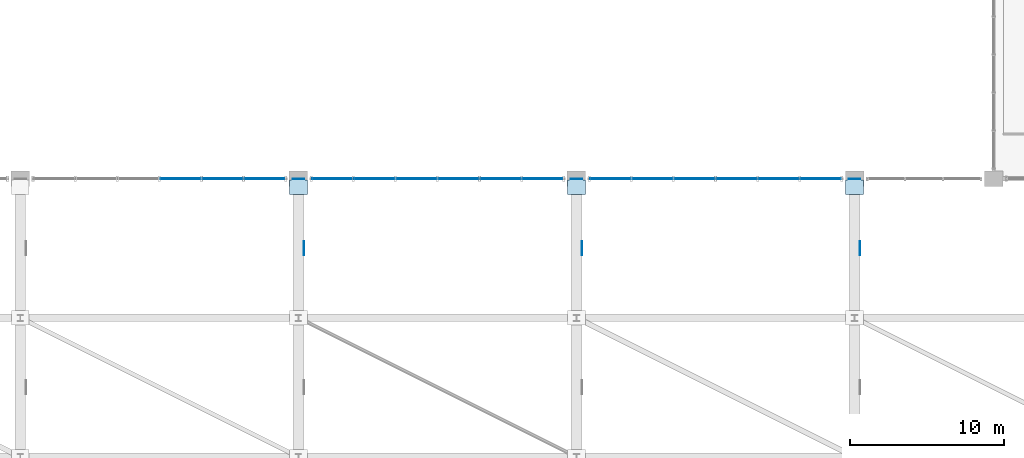
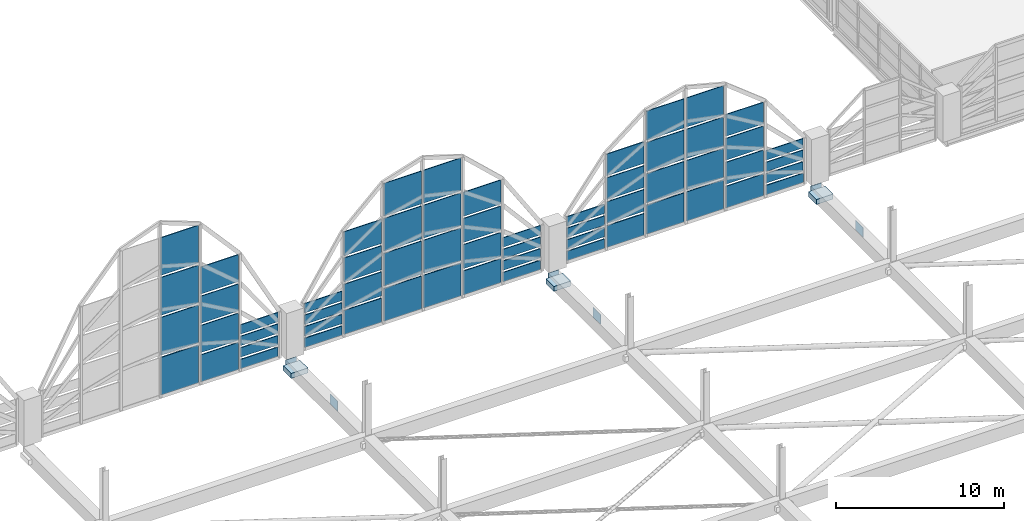
# One storey, part 91 of 116: 69 plates, 3 elements without a shape of their own.
"""IFC4 building model written with IfcOpenShell, lengths in metres."""

from ifc_helpers import new_model, si_unit, direction, frame, origin, origin_2d, place, context, subcontext, project, spatial, rectangle, extrude, material, layer, layer_set, type_object, element, aggregate, save


model = new_model("IFC4")

# Units and contexts
model_context = context("Model", 3, precision=1e-05, world=origin(), true_north=direction((0.0, 1.0)))
body_context = subcontext(model_context, "Body", "Model", "MODEL_VIEW")
ifc_project = project(units=[si_unit("LENGTHUNIT", "METRE"), si_unit("AREAUNIT", "SQUARE_METRE"), si_unit("VOLUMEUNIT", "CUBIC_METRE"), si_unit("PLANEANGLEUNIT", "RADIAN"), si_unit("MASSUNIT", "GRAM", prefix="KILO")], contexts=[model_context])

# Site, building, storey
site_placement = place(None, origin())
site = spatial("IfcSite", under=ifc_project, at=site_placement, CompositionType="ELEMENT")
building_placement = place(site_placement, origin())
building = spatial("IfcBuilding", under=site, at=building_placement, Name="Chuanluo Vaults Station", CompositionType="ELEMENT")
storey_placement = place(building_placement, frame((0.0, 0.0, 10.800048828125)))
storey = spatial("IfcBuildingStorey", under=building, at=storey_placement, Name="L02", CompositionType="ELEMENT", Elevation=10.800048828125)

# Curtain wall, plates
ifc_material_1 = material(Name="Anodised aluminium 6063-T6", Category="aluminium")
curtain_wall_type_1 = type_object("IfcCurtainWallType", Name="CW-SYS-13", PredefinedType="NOTDEFINED", material=ifc_material_1)
curtain_wall_1_placement = place(storey_placement, origin())
curtain_wall_1 = element("IfcCurtainWall", 1, at=curtain_wall_1_placement, inside=storey, type_object=curtain_wall_type_1, Name="Vault V4 north arched curtain wall", PredefinedType="NOTDEFINED")
ifc_material_2 = material(Name="Ceramic-fritted spandrel glass", Category="glass")
ifc_layer_1 = layer(ifc_material_2, 0.06396484375)
ifc_layer_set_1 = layer_set([ifc_layer_1], Name="Ceramic-fritted spandrel glass")
plate_type_1 = type_object("IfcPlateType", Name="CWP-SPN-42", PredefinedType="SHEET", material=ifc_layer_set_1)
plate_1_placement = place(storey_placement, frame((64.362548828125, 103.5, 0.080078125), z_axis=(0.0, 0.0, 1.0), x_axis=(1.0, 0.0, 0.0)))
plate_1 = element("IfcPlate", 2, at=plate_1_placement, type_object=plate_type_1, Name="Vault V4 north arched curtain wall glazed panel 4.1", PredefinedType="SHEET", context=body_context, shape_type="SweptSolid", body=[
    extrude(rectangle(XDim=2.56494140625, YDim=0.06396484375, at=origin_2d()), origin(), (0.0, 0.0, 1.0), 2.73291015625),
])
plate_2_placement = place(storey_placement, frame((67.08740234375, 103.5, 0.080078125), z_axis=(0.0, 0.0, 1.0), x_axis=(1.0, 0.0, 0.0)))
plate_2 = element("IfcPlate", 3, at=plate_2_placement, type_object=plate_type_1, Name="Vault V4 north arched curtain wall glazed panel 5.1", PredefinedType="SHEET", context=body_context, shape_type="SweptSolid", body=[
    extrude(rectangle(XDim=2.56494140625, YDim=0.06396484375, at=origin_2d()), origin(), (0.0, 0.0, 1.0), 1.962158203125),
])
plate_3_placement = place(storey_placement, frame((69.8125, 103.5, 0.080078125), z_axis=(0.0, 0.0, 1.0), x_axis=(1.0, 0.0, 0.0)))
plate_3 = element("IfcPlate", 4, at=plate_3_placement, type_object=plate_type_1, Name="Vault V4 north arched curtain wall glazed panel 6.1", PredefinedType="SHEET", context=body_context, shape_type="SweptSolid", body=[
    extrude(rectangle(XDim=2.56494140625, YDim=0.06396484375, at=origin_2d()), origin(), (0.0, 0.0, 1.0), 0.677490234375),
])

ifc_material_3 = material(Name="Anodised aluminium 6063-T6", Category="aluminium")
curtain_wall_type_2 = type_object("IfcCurtainWallType", Name="CW-SYS-17", PredefinedType="NOTDEFINED", material=ifc_material_3)
curtain_wall_2_placement = place(storey_placement, origin())
curtain_wall_2 = element("IfcCurtainWall", 5, at=curtain_wall_2_placement, inside=storey, type_object=curtain_wall_type_2, Name="Vault V5 north arched curtain wall", PredefinedType="NOTDEFINED")
plate_4_placement = place(storey_placement, frame((74.1875, 103.5, 0.080078125), z_axis=(0.0, 0.0, 1.0), x_axis=(1.0, 0.0, 0.0)))
plate_4 = element("IfcPlate", 6, at=plate_4_placement, type_object=plate_type_1, Name="Vault V5 north arched curtain wall glazed panel 1.1", PredefinedType="SHEET", context=body_context, shape_type="SweptSolid", body=[
    extrude(rectangle(XDim=2.56494140625, YDim=0.06396484375, at=origin_2d()), origin(), (0.0, 0.0, 1.0), 0.677490234375),
])
plate_5_placement = place(storey_placement, frame((76.91259765625, 103.5, 0.080078125), z_axis=(0.0, 0.0, 1.0), x_axis=(1.0, 0.0, 0.0)))
plate_5 = element("IfcPlate", 7, at=plate_5_placement, type_object=plate_type_1, Name="Vault V5 north arched curtain wall glazed panel 2.1", PredefinedType="SHEET", context=body_context, shape_type="SweptSolid", body=[
    extrude(rectangle(XDim=2.56494140625, YDim=0.06396484375, at=origin_2d()), origin(), (0.0, 0.0, 1.0), 1.739990234375),
])
plate_6_placement = place(storey_placement, frame((79.637451171875, 103.5, 0.080078125), z_axis=(0.0, 0.0, 1.0), x_axis=(1.0, 0.0, 0.0)))
plate_6 = element("IfcPlate", 8, at=plate_6_placement, type_object=plate_type_1, Name="Vault V5 north arched curtain wall glazed panel 3.1", PredefinedType="SHEET", context=body_context, shape_type="SweptSolid", body=[
    extrude(rectangle(XDim=2.56494140625, YDim=0.06396484375, at=origin_2d()), origin(), (0.0, 0.0, 1.0), 2.37744140625),
])
plate_7_placement = place(storey_placement, frame((82.362548828125, 103.5, 0.080078125), z_axis=(0.0, 0.0, 1.0), x_axis=(1.0, 0.0, 0.0)))
plate_7 = element("IfcPlate", 9, at=plate_7_placement, type_object=plate_type_1, Name="Vault V5 north arched curtain wall glazed panel 4.1", PredefinedType="SHEET", context=body_context, shape_type="SweptSolid", body=[
    extrude(rectangle(XDim=2.56494140625, YDim=0.06396484375, at=origin_2d()), origin(), (0.0, 0.0, 1.0), 2.37744140625),
])
plate_8_placement = place(storey_placement, frame((85.08740234375, 103.5, 0.080078125), z_axis=(0.0, 0.0, 1.0), x_axis=(1.0, 0.0, 0.0)))
plate_8 = element("IfcPlate", 10, at=plate_8_placement, type_object=plate_type_1, Name="Vault V5 north arched curtain wall glazed panel 5.1", PredefinedType="SHEET", context=body_context, shape_type="SweptSolid", body=[
    extrude(rectangle(XDim=2.56494140625, YDim=0.06396484375, at=origin_2d()), origin(), (0.0, 0.0, 1.0), 1.739990234375),
])
plate_9_placement = place(storey_placement, frame((87.8125, 103.5, 0.080078125), z_axis=(0.0, 0.0, 1.0), x_axis=(1.0, 0.0, 0.0)))
plate_9 = element("IfcPlate", 11, at=plate_9_placement, type_object=plate_type_1, Name="Vault V5 north arched curtain wall glazed panel 6.1", PredefinedType="SHEET", context=body_context, shape_type="SweptSolid", body=[
    extrude(rectangle(XDim=2.56494140625, YDim=0.06396484375, at=origin_2d()), origin(), (0.0, 0.0, 1.0), 0.677490234375),
])

ifc_material_4 = material(Name="Anodised aluminium 6063-T6", Category="aluminium")
curtain_wall_type_3 = type_object("IfcCurtainWallType", Name="CW-SYS-21", PredefinedType="NOTDEFINED", material=ifc_material_4)
curtain_wall_3_placement = place(storey_placement, origin())
curtain_wall_3 = element("IfcCurtainWall", 12, at=curtain_wall_3_placement, inside=storey, type_object=curtain_wall_type_3, Name="Vault V6 north arched curtain wall", PredefinedType="NOTDEFINED")
plate_10_placement = place(storey_placement, frame((92.1875, 103.5, 0.080078125), z_axis=(0.0, 0.0, 1.0), x_axis=(1.0, 0.0, 0.0)))
plate_10 = element("IfcPlate", 13, at=plate_10_placement, type_object=plate_type_1, Name="Vault V6 north arched curtain wall glazed panel 1.1", PredefinedType="SHEET", context=body_context, shape_type="SweptSolid", body=[
    extrude(rectangle(XDim=2.56494140625, YDim=0.06396484375, at=origin_2d()), origin(), (0.0, 0.0, 1.0), 0.677490234375),
])
plate_11_placement = place(storey_placement, frame((94.91259765625, 103.5, 0.080078125), z_axis=(0.0, 0.0, 1.0), x_axis=(1.0, 0.0, 0.0)))
plate_11 = element("IfcPlate", 14, at=plate_11_placement, type_object=plate_type_1, Name="Vault V6 north arched curtain wall glazed panel 2.1", PredefinedType="SHEET", context=body_context, shape_type="SweptSolid", body=[
    extrude(rectangle(XDim=2.56494140625, YDim=0.06396484375, at=origin_2d()), origin(), (0.0, 0.0, 1.0), 1.5732421875),
])
plate_12_placement = place(storey_placement, frame((97.637451171875, 103.5, 0.079833984375), z_axis=(0.0, 0.0, 1.0), x_axis=(1.0, 0.0, 0.0)))
plate_12 = element("IfcPlate", 15, at=plate_12_placement, type_object=plate_type_1, Name="Vault V6 north arched curtain wall glazed panel 3.1", PredefinedType="SHEET", context=body_context, shape_type="SweptSolid", body=[
    extrude(rectangle(XDim=2.56494140625, YDim=0.06396484375, at=origin_2d()), origin(), (0.0, 0.0, 1.0), 2.11083984375),
])
plate_13_placement = place(storey_placement, frame((100.362548828125, 103.5, 0.079833984375), z_axis=(0.0, 0.0, 1.0), x_axis=(1.0, 0.0, 0.0)))
plate_13 = element("IfcPlate", 16, at=plate_13_placement, type_object=plate_type_1, Name="Vault V6 north arched curtain wall glazed panel 4.1", PredefinedType="SHEET", context=body_context, shape_type="SweptSolid", body=[
    extrude(rectangle(XDim=2.56494140625, YDim=0.06396484375, at=origin_2d()), origin(), (0.0, 0.0, 1.0), 2.11083984375),
])
plate_14_placement = place(storey_placement, frame((103.08740234375, 103.5, 0.080078125), z_axis=(0.0, 0.0, 1.0), x_axis=(1.0, 0.0, 0.0)))
plate_14 = element("IfcPlate", 17, at=plate_14_placement, type_object=plate_type_1, Name="Vault V6 north arched curtain wall glazed panel 5.1", PredefinedType="SHEET", context=body_context, shape_type="SweptSolid", body=[
    extrude(rectangle(XDim=2.56494140625, YDim=0.06396484375, at=origin_2d()), origin(), (0.0, 0.0, 1.0), 1.5732421875),
])
plate_15_placement = place(storey_placement, frame((105.8125, 103.5, 0.080078125), z_axis=(0.0, 0.0, 1.0), x_axis=(1.0, 0.0, 0.0)))
plate_15 = element("IfcPlate", 18, at=plate_15_placement, type_object=plate_type_1, Name="Vault V6 north arched curtain wall glazed panel 6.1", PredefinedType="SHEET", context=body_context, shape_type="SweptSolid", body=[
    extrude(rectangle(XDim=2.56494140625, YDim=0.06396484375, at=origin_2d()), origin(), (0.0, 0.0, 1.0), 0.677490234375),
])

# Plate
ifc_material_5 = material(Name="Double-silver Low-E laminated glass", Category="glass")
ifc_layer_2 = layer(ifc_material_5, 0.05810546875)
ifc_layer_set_2 = layer_set([ifc_layer_2], Name="Double-silver Low-E laminated glass")
plate_type_2 = type_object("IfcPlateType", Name="CWP-VIS-38", PredefinedType="CURTAIN_PANEL", material=ifc_layer_set_2)
plate_16_placement = place(storey_placement, frame((64.362548828125, 103.5, 2.97265625), z_axis=(0.0, 0.0, 1.0), x_axis=(1.0, 0.0, 0.0)))
plate_16 = element("IfcPlate", 19, at=plate_16_placement, type_object=plate_type_2, Name="Vault V4 north arched curtain wall glazed panel 4.2", PredefinedType="CURTAIN_PANEL", context=body_context, shape_type="SweptSolid", body=[
    extrude(rectangle(XDim=2.56494140625, YDim=0.05810546875, at=origin_2d()), origin(), (0.0, 0.0, 1.0), 2.733154296875),
])

plate_17_placement = place(storey_placement, frame((64.362548828125, 103.5, 5.8662109375), z_axis=(0.0, 0.0, 1.0), x_axis=(1.0, 0.0, 0.0)))
plate_17 = element("IfcPlate", 20, at=plate_17_placement, type_object=plate_type_2, Name="Vault V4 north arched curtain wall glazed panel 4.3", PredefinedType="CURTAIN_PANEL", context=body_context, shape_type="SweptSolid", body=[
    extrude(rectangle(XDim=2.56494140625, YDim=0.05810546875, at=origin_2d()), origin(), (0.0, 0.0, 1.0), 2.733154296875),
])

plate_18_placement = place(storey_placement, frame((64.362548828125, 103.5, 8.75927734375), z_axis=(0.0, 0.0, 1.0), x_axis=(1.0, 0.0, 0.0)))
plate_18 = element("IfcPlate", 21, at=plate_18_placement, type_object=plate_type_2, Name="Vault V4 north arched curtain wall glazed panel 4.4", PredefinedType="CURTAIN_PANEL", context=body_context, shape_type="SweptSolid", body=[
    extrude(rectangle(XDim=2.56494140625, YDim=0.05810546875, at=origin_2d()), origin(), (0.0, 0.0, 1.0), 2.733154296875),
])

plate_19_placement = place(storey_placement, frame((67.08740234375, 103.5, 2.2021484375), z_axis=(0.0, 0.0, 1.0), x_axis=(1.0, 0.0, 0.0)))
plate_19 = element("IfcPlate", 22, at=plate_19_placement, type_object=plate_type_2, Name="Vault V4 north arched curtain wall glazed panel 5.2", PredefinedType="CURTAIN_PANEL", context=body_context, shape_type="SweptSolid", body=[
    extrude(rectangle(XDim=2.56494140625, YDim=0.05810546875, at=origin_2d()), origin(), (0.0, 0.0, 1.0), 1.96240234375),
])

plate_20_placement = place(storey_placement, frame((67.08740234375, 103.5, 4.32470703125), z_axis=(0.0, 0.0, 1.0), x_axis=(1.0, 0.0, 0.0)))
plate_20 = element("IfcPlate", 23, at=plate_20_placement, type_object=plate_type_2, Name="Vault V4 north arched curtain wall glazed panel 5.3", PredefinedType="CURTAIN_PANEL", context=body_context, shape_type="SweptSolid", body=[
    extrude(rectangle(XDim=2.56494140625, YDim=0.05810546875, at=origin_2d()), origin(), (0.0, 0.0, 1.0), 1.962158203125),
])

plate_21_placement = place(storey_placement, frame((67.08740234375, 103.5, 6.44677734375), z_axis=(0.0, 0.0, 1.0), x_axis=(1.0, 0.0, 0.0)))
plate_21 = element("IfcPlate", 24, at=plate_21_placement, type_object=plate_type_2, Name="Vault V4 north arched curtain wall glazed panel 5.4", PredefinedType="CURTAIN_PANEL", context=body_context, shape_type="SweptSolid", body=[
    extrude(rectangle(XDim=2.56494140625, YDim=0.05810546875, at=origin_2d()), origin(), (0.0, 0.0, 1.0), 1.962158203125),
])

plate_22_placement = place(storey_placement, frame((69.8125, 103.5, 0.91748046875), z_axis=(0.0, 0.0, 1.0), x_axis=(1.0, 0.0, 0.0)))
plate_22 = element("IfcPlate", 25, at=plate_22_placement, type_object=plate_type_2, Name="Vault V4 north arched curtain wall glazed panel 6.2", PredefinedType="CURTAIN_PANEL", context=body_context, shape_type="SweptSolid", body=[
    extrude(rectangle(XDim=2.56494140625, YDim=0.05810546875, at=origin_2d()), origin(), (0.0, 0.0, 1.0), 0.677490234375),
])

plate_23_placement = place(storey_placement, frame((69.8125, 103.5, 1.7548828125), z_axis=(0.0, 0.0, 1.0), x_axis=(1.0, 0.0, 0.0)))
plate_23 = element("IfcPlate", 26, at=plate_23_placement, type_object=plate_type_2, Name="Vault V4 north arched curtain wall glazed panel 6.3", PredefinedType="CURTAIN_PANEL", context=body_context, shape_type="SweptSolid", body=[
    extrude(rectangle(XDim=2.56494140625, YDim=0.05810546875, at=origin_2d()), origin(), (0.0, 0.0, 1.0), 0.677490234375),
])

plate_24_placement = place(storey_placement, frame((69.8125, 103.5, 2.59228515625), z_axis=(0.0, 0.0, 1.0), x_axis=(1.0, 0.0, 0.0)))
plate_24 = element("IfcPlate", 27, at=plate_24_placement, type_object=plate_type_2, Name="Vault V4 north arched curtain wall glazed panel 6.4", PredefinedType="CURTAIN_PANEL", context=body_context, shape_type="SweptSolid", body=[
    extrude(rectangle(XDim=2.56494140625, YDim=0.05810546875, at=origin_2d()), origin(), (0.0, 0.0, 1.0), 0.677490234375),
])

aggregate(curtain_wall_1, [plate_1, plate_16, plate_17, plate_18, plate_2, plate_19, plate_20, plate_21, plate_3, plate_22, plate_23, plate_24])

plate_25_placement = place(storey_placement, frame((74.1875, 103.5, 0.91748046875), z_axis=(0.0, 0.0, 1.0), x_axis=(1.0, 0.0, 0.0)))
plate_25 = element("IfcPlate", 28, at=plate_25_placement, type_object=plate_type_2, Name="Vault V5 north arched curtain wall glazed panel 1.2", PredefinedType="CURTAIN_PANEL", context=body_context, shape_type="SweptSolid", body=[
    extrude(rectangle(XDim=2.56494140625, YDim=0.05810546875, at=origin_2d()), origin(), (0.0, 0.0, 1.0), 0.677490234375),
])

plate_26_placement = place(storey_placement, frame((74.1875, 103.5, 1.7548828125), z_axis=(0.0, 0.0, 1.0), x_axis=(1.0, 0.0, 0.0)))
plate_26 = element("IfcPlate", 29, at=plate_26_placement, type_object=plate_type_2, Name="Vault V5 north arched curtain wall glazed panel 1.3", PredefinedType="CURTAIN_PANEL", context=body_context, shape_type="SweptSolid", body=[
    extrude(rectangle(XDim=2.56494140625, YDim=0.05810546875, at=origin_2d()), origin(), (0.0, 0.0, 1.0), 0.677490234375),
])

plate_27_placement = place(storey_placement, frame((74.1875, 103.5, 2.59228515625), z_axis=(0.0, 0.0, 1.0), x_axis=(1.0, 0.0, 0.0)))
plate_27 = element("IfcPlate", 30, at=plate_27_placement, type_object=plate_type_2, Name="Vault V5 north arched curtain wall glazed panel 1.4", PredefinedType="CURTAIN_PANEL", context=body_context, shape_type="SweptSolid", body=[
    extrude(rectangle(XDim=2.56494140625, YDim=0.05810546875, at=origin_2d()), origin(), (0.0, 0.0, 1.0), 0.677490234375),
])

plate_28_placement = place(storey_placement, frame((76.91259765625, 103.5, 1.97998046875), z_axis=(0.0, 0.0, 1.0), x_axis=(1.0, 0.0, 0.0)))
plate_28 = element("IfcPlate", 31, at=plate_28_placement, type_object=plate_type_2, Name="Vault V5 north arched curtain wall glazed panel 2.2", PredefinedType="CURTAIN_PANEL", context=body_context, shape_type="SweptSolid", body=[
    extrude(rectangle(XDim=2.56494140625, YDim=0.05810546875, at=origin_2d()), origin(), (0.0, 0.0, 1.0), 1.739990234375),
])

plate_29_placement = place(storey_placement, frame((76.91259765625, 103.5, 3.8798828125), z_axis=(0.0, 0.0, 1.0), x_axis=(1.0, 0.0, 0.0)))
plate_29 = element("IfcPlate", 32, at=plate_29_placement, type_object=plate_type_2, Name="Vault V5 north arched curtain wall glazed panel 2.3", PredefinedType="CURTAIN_PANEL", context=body_context, shape_type="SweptSolid", body=[
    extrude(rectangle(XDim=2.56494140625, YDim=0.05810546875, at=origin_2d()), origin(), (0.0, 0.0, 1.0), 1.739990234375),
])

plate_30_placement = place(storey_placement, frame((76.91259765625, 103.5, 5.77978515625), z_axis=(0.0, 0.0, 1.0), x_axis=(1.0, 0.0, 0.0)))
plate_30 = element("IfcPlate", 33, at=plate_30_placement, type_object=plate_type_2, Name="Vault V5 north arched curtain wall glazed panel 2.4", PredefinedType="CURTAIN_PANEL", context=body_context, shape_type="SweptSolid", body=[
    extrude(rectangle(XDim=2.56494140625, YDim=0.05810546875, at=origin_2d()), origin(), (0.0, 0.0, 1.0), 1.739990234375),
])

plate_31_placement = place(storey_placement, frame((79.637451171875, 103.5, 2.617431640625), z_axis=(0.0, 0.0, 1.0), x_axis=(1.0, 0.0, 0.0)))
plate_31 = element("IfcPlate", 34, at=plate_31_placement, type_object=plate_type_2, Name="Vault V5 north arched curtain wall glazed panel 3.2", PredefinedType="CURTAIN_PANEL", context=body_context, shape_type="SweptSolid", body=[
    extrude(rectangle(XDim=2.56494140625, YDim=0.05810546875, at=origin_2d()), origin(), (0.0, 0.0, 1.0), 2.37744140625),
])

plate_32_placement = place(storey_placement, frame((79.637451171875, 103.5, 5.155029296875), z_axis=(0.0, 0.0, 1.0), x_axis=(1.0, 0.0, 0.0)))
plate_32 = element("IfcPlate", 35, at=plate_32_placement, type_object=plate_type_2, Name="Vault V5 north arched curtain wall glazed panel 3.3", PredefinedType="CURTAIN_PANEL", context=body_context, shape_type="SweptSolid", body=[
    extrude(rectangle(XDim=2.56494140625, YDim=0.05810546875, at=origin_2d()), origin(), (0.0, 0.0, 1.0), 2.37744140625),
])

plate_33_placement = place(storey_placement, frame((79.637451171875, 103.5, 7.6923828125), z_axis=(0.0, 0.0, 1.0), x_axis=(1.0, 0.0, 0.0)))
plate_33 = element("IfcPlate", 36, at=plate_33_placement, type_object=plate_type_2, Name="Vault V5 north arched curtain wall glazed panel 3.4", PredefinedType="CURTAIN_PANEL", context=body_context, shape_type="SweptSolid", body=[
    extrude(rectangle(XDim=2.56494140625, YDim=0.05810546875, at=origin_2d()), origin(), (0.0, 0.0, 1.0), 2.37744140625),
])

plate_34_placement = place(storey_placement, frame((82.362548828125, 103.5, 2.617431640625), z_axis=(0.0, 0.0, 1.0), x_axis=(1.0, 0.0, 0.0)))
plate_34 = element("IfcPlate", 37, at=plate_34_placement, type_object=plate_type_2, Name="Vault V5 north arched curtain wall glazed panel 4.2", PredefinedType="CURTAIN_PANEL", context=body_context, shape_type="SweptSolid", body=[
    extrude(rectangle(XDim=2.56494140625, YDim=0.05810546875, at=origin_2d()), origin(), (0.0, 0.0, 1.0), 2.37744140625),
])

plate_35_placement = place(storey_placement, frame((82.362548828125, 103.5, 5.155029296875), z_axis=(0.0, 0.0, 1.0), x_axis=(1.0, 0.0, 0.0)))
plate_35 = element("IfcPlate", 38, at=plate_35_placement, type_object=plate_type_2, Name="Vault V5 north arched curtain wall glazed panel 4.3", PredefinedType="CURTAIN_PANEL", context=body_context, shape_type="SweptSolid", body=[
    extrude(rectangle(XDim=2.56494140625, YDim=0.05810546875, at=origin_2d()), origin(), (0.0, 0.0, 1.0), 2.37744140625),
])

plate_36_placement = place(storey_placement, frame((82.362548828125, 103.5, 7.6923828125), z_axis=(0.0, 0.0, 1.0), x_axis=(1.0, 0.0, 0.0)))
plate_36 = element("IfcPlate", 39, at=plate_36_placement, type_object=plate_type_2, Name="Vault V5 north arched curtain wall glazed panel 4.4", PredefinedType="CURTAIN_PANEL", context=body_context, shape_type="SweptSolid", body=[
    extrude(rectangle(XDim=2.56494140625, YDim=0.05810546875, at=origin_2d()), origin(), (0.0, 0.0, 1.0), 2.37744140625),
])

plate_37_placement = place(storey_placement, frame((85.08740234375, 103.5, 1.97998046875), z_axis=(0.0, 0.0, 1.0), x_axis=(1.0, 0.0, 0.0)))
plate_37 = element("IfcPlate", 40, at=plate_37_placement, type_object=plate_type_2, Name="Vault V5 north arched curtain wall glazed panel 5.2", PredefinedType="CURTAIN_PANEL", context=body_context, shape_type="SweptSolid", body=[
    extrude(rectangle(XDim=2.56494140625, YDim=0.05810546875, at=origin_2d()), origin(), (0.0, 0.0, 1.0), 1.739990234375),
])

plate_38_placement = place(storey_placement, frame((85.08740234375, 103.5, 3.8798828125), z_axis=(0.0, 0.0, 1.0), x_axis=(1.0, 0.0, 0.0)))
plate_38 = element("IfcPlate", 41, at=plate_38_placement, type_object=plate_type_2, Name="Vault V5 north arched curtain wall glazed panel 5.3", PredefinedType="CURTAIN_PANEL", context=body_context, shape_type="SweptSolid", body=[
    extrude(rectangle(XDim=2.56494140625, YDim=0.05810546875, at=origin_2d()), origin(), (0.0, 0.0, 1.0), 1.739990234375),
])

plate_39_placement = place(storey_placement, frame((85.08740234375, 103.5, 5.77978515625), z_axis=(0.0, 0.0, 1.0), x_axis=(1.0, 0.0, 0.0)))
plate_39 = element("IfcPlate", 42, at=plate_39_placement, type_object=plate_type_2, Name="Vault V5 north arched curtain wall glazed panel 5.4", PredefinedType="CURTAIN_PANEL", context=body_context, shape_type="SweptSolid", body=[
    extrude(rectangle(XDim=2.56494140625, YDim=0.05810546875, at=origin_2d()), origin(), (0.0, 0.0, 1.0), 1.739990234375),
])

plate_40_placement = place(storey_placement, frame((87.8125, 103.5, 0.91748046875), z_axis=(0.0, 0.0, 1.0), x_axis=(1.0, 0.0, 0.0)))
plate_40 = element("IfcPlate", 43, at=plate_40_placement, type_object=plate_type_2, Name="Vault V5 north arched curtain wall glazed panel 6.2", PredefinedType="CURTAIN_PANEL", context=body_context, shape_type="SweptSolid", body=[
    extrude(rectangle(XDim=2.56494140625, YDim=0.05810546875, at=origin_2d()), origin(), (0.0, 0.0, 1.0), 0.677490234375),
])

plate_41_placement = place(storey_placement, frame((87.8125, 103.5, 1.7548828125), z_axis=(0.0, 0.0, 1.0), x_axis=(1.0, 0.0, 0.0)))
plate_41 = element("IfcPlate", 44, at=plate_41_placement, type_object=plate_type_2, Name="Vault V5 north arched curtain wall glazed panel 6.3", PredefinedType="CURTAIN_PANEL", context=body_context, shape_type="SweptSolid", body=[
    extrude(rectangle(XDim=2.56494140625, YDim=0.05810546875, at=origin_2d()), origin(), (0.0, 0.0, 1.0), 0.677490234375),
])

plate_42_placement = place(storey_placement, frame((87.8125, 103.5, 2.59228515625), z_axis=(0.0, 0.0, 1.0), x_axis=(1.0, 0.0, 0.0)))
plate_42 = element("IfcPlate", 45, at=plate_42_placement, type_object=plate_type_2, Name="Vault V5 north arched curtain wall glazed panel 6.4", PredefinedType="CURTAIN_PANEL", context=body_context, shape_type="SweptSolid", body=[
    extrude(rectangle(XDim=2.56494140625, YDim=0.05810546875, at=origin_2d()), origin(), (0.0, 0.0, 1.0), 0.677490234375),
])

aggregate(curtain_wall_2, [plate_4, plate_25, plate_26, plate_27, plate_5, plate_28, plate_29, plate_30, plate_6, plate_31, plate_32, plate_33, plate_7, plate_34, plate_35, plate_36, plate_8, plate_37, plate_38, plate_39, plate_9, plate_40, plate_41, plate_42])

plate_43_placement = place(storey_placement, frame((92.1875, 103.5, 0.91748046875), z_axis=(0.0, 0.0, 1.0), x_axis=(1.0, 0.0, 0.0)))
plate_43 = element("IfcPlate", 46, at=plate_43_placement, type_object=plate_type_2, Name="Vault V6 north arched curtain wall glazed panel 1.2", PredefinedType="CURTAIN_PANEL", context=body_context, shape_type="SweptSolid", body=[
    extrude(rectangle(XDim=2.56494140625, YDim=0.05810546875, at=origin_2d()), origin(), (0.0, 0.0, 1.0), 0.677490234375),
])

plate_44_placement = place(storey_placement, frame((92.1875, 103.5, 1.7548828125), z_axis=(0.0, 0.0, 1.0), x_axis=(1.0, 0.0, 0.0)))
plate_44 = element("IfcPlate", 47, at=plate_44_placement, type_object=plate_type_2, Name="Vault V6 north arched curtain wall glazed panel 1.3", PredefinedType="CURTAIN_PANEL", context=body_context, shape_type="SweptSolid", body=[
    extrude(rectangle(XDim=2.56494140625, YDim=0.05810546875, at=origin_2d()), origin(), (0.0, 0.0, 1.0), 0.677490234375),
])

plate_45_placement = place(storey_placement, frame((92.1875, 103.5, 2.59228515625), z_axis=(0.0, 0.0, 1.0), x_axis=(1.0, 0.0, 0.0)))
plate_45 = element("IfcPlate", 48, at=plate_45_placement, type_object=plate_type_2, Name="Vault V6 north arched curtain wall glazed panel 1.4", PredefinedType="CURTAIN_PANEL", context=body_context, shape_type="SweptSolid", body=[
    extrude(rectangle(XDim=2.56494140625, YDim=0.05810546875, at=origin_2d()), origin(), (0.0, 0.0, 1.0), 0.677490234375),
])

plate_46_placement = place(storey_placement, frame((94.91259765625, 103.5, 1.81298828125), z_axis=(0.0, 0.0, 1.0), x_axis=(1.0, 0.0, 0.0)))
plate_46 = element("IfcPlate", 49, at=plate_46_placement, type_object=plate_type_2, Name="Vault V6 north arched curtain wall glazed panel 2.2", PredefinedType="CURTAIN_PANEL", context=body_context, shape_type="SweptSolid", body=[
    extrude(rectangle(XDim=2.56494140625, YDim=0.05810546875, at=origin_2d()), origin(), (0.0, 0.0, 1.0), 1.573486328125),
])

plate_47_placement = place(storey_placement, frame((94.91259765625, 103.5, 3.546630859375), z_axis=(0.0, 0.0, 1.0), x_axis=(1.0, 0.0, 0.0)))
plate_47 = element("IfcPlate", 50, at=plate_47_placement, type_object=plate_type_2, Name="Vault V6 north arched curtain wall glazed panel 2.3", PredefinedType="CURTAIN_PANEL", context=body_context, shape_type="SweptSolid", body=[
    extrude(rectangle(XDim=2.56494140625, YDim=0.05810546875, at=origin_2d()), origin(), (0.0, 0.0, 1.0), 1.5732421875),
])

plate_48_placement = place(storey_placement, frame((94.91259765625, 103.5, 5.280029296875), z_axis=(0.0, 0.0, 1.0), x_axis=(1.0, 0.0, 0.0)))
plate_48 = element("IfcPlate", 51, at=plate_48_placement, type_object=plate_type_2, Name="Vault V6 north arched curtain wall glazed panel 2.4", PredefinedType="CURTAIN_PANEL", context=body_context, shape_type="SweptSolid", body=[
    extrude(rectangle(XDim=2.56494140625, YDim=0.05810546875, at=origin_2d()), origin(), (0.0, 0.0, 1.0), 1.5732421875),
])

plate_49_placement = place(storey_placement, frame((97.637451171875, 103.5, 2.350830078125), z_axis=(0.0, 0.0, 1.0), x_axis=(1.0, 0.0, 0.0)))
plate_49 = element("IfcPlate", 52, at=plate_49_placement, type_object=plate_type_2, Name="Vault V6 north arched curtain wall glazed panel 3.2", PredefinedType="CURTAIN_PANEL", context=body_context, shape_type="SweptSolid", body=[
    extrude(rectangle(XDim=2.56494140625, YDim=0.05810546875, at=origin_2d()), origin(), (0.0, 0.0, 1.0), 2.11083984375),
])

plate_50_placement = place(storey_placement, frame((97.637451171875, 103.5, 4.62158203125), z_axis=(0.0, 0.0, 1.0), x_axis=(1.0, 0.0, 0.0)))
plate_50 = element("IfcPlate", 53, at=plate_50_placement, type_object=plate_type_2, Name="Vault V6 north arched curtain wall glazed panel 3.3", PredefinedType="CURTAIN_PANEL", context=body_context, shape_type="SweptSolid", body=[
    extrude(rectangle(XDim=2.56494140625, YDim=0.05810546875, at=origin_2d()), origin(), (0.0, 0.0, 1.0), 2.11083984375),
])

plate_51_placement = place(storey_placement, frame((97.637451171875, 103.5, 6.892333984375), z_axis=(0.0, 0.0, 1.0), x_axis=(1.0, 0.0, 0.0)))
plate_51 = element("IfcPlate", 54, at=plate_51_placement, type_object=plate_type_2, Name="Vault V6 north arched curtain wall glazed panel 3.4", PredefinedType="CURTAIN_PANEL", context=body_context, shape_type="SweptSolid", body=[
    extrude(rectangle(XDim=2.56494140625, YDim=0.05810546875, at=origin_2d()), origin(), (0.0, 0.0, 1.0), 2.11083984375),
])

plate_52_placement = place(storey_placement, frame((100.362548828125, 103.5, 2.350830078125), z_axis=(0.0, 0.0, 1.0), x_axis=(1.0, 0.0, 0.0)))
plate_52 = element("IfcPlate", 55, at=plate_52_placement, type_object=plate_type_2, Name="Vault V6 north arched curtain wall glazed panel 4.2", PredefinedType="CURTAIN_PANEL", context=body_context, shape_type="SweptSolid", body=[
    extrude(rectangle(XDim=2.56494140625, YDim=0.05810546875, at=origin_2d()), origin(), (0.0, 0.0, 1.0), 2.11083984375),
])

plate_53_placement = place(storey_placement, frame((100.362548828125, 103.5, 4.62158203125), z_axis=(0.0, 0.0, 1.0), x_axis=(1.0, 0.0, 0.0)))
plate_53 = element("IfcPlate", 56, at=plate_53_placement, type_object=plate_type_2, Name="Vault V6 north arched curtain wall glazed panel 4.3", PredefinedType="CURTAIN_PANEL", context=body_context, shape_type="SweptSolid", body=[
    extrude(rectangle(XDim=2.56494140625, YDim=0.05810546875, at=origin_2d()), origin(), (0.0, 0.0, 1.0), 2.11083984375),
])

plate_54_placement = place(storey_placement, frame((100.362548828125, 103.5, 6.892333984375), z_axis=(0.0, 0.0, 1.0), x_axis=(1.0, 0.0, 0.0)))
plate_54 = element("IfcPlate", 57, at=plate_54_placement, type_object=plate_type_2, Name="Vault V6 north arched curtain wall glazed panel 4.4", PredefinedType="CURTAIN_PANEL", context=body_context, shape_type="SweptSolid", body=[
    extrude(rectangle(XDim=2.56494140625, YDim=0.05810546875, at=origin_2d()), origin(), (0.0, 0.0, 1.0), 2.11083984375),
])

plate_55_placement = place(storey_placement, frame((103.08740234375, 103.5, 1.81298828125), z_axis=(0.0, 0.0, 1.0), x_axis=(1.0, 0.0, 0.0)))
plate_55 = element("IfcPlate", 58, at=plate_55_placement, type_object=plate_type_2, Name="Vault V6 north arched curtain wall glazed panel 5.2", PredefinedType="CURTAIN_PANEL", context=body_context, shape_type="SweptSolid", body=[
    extrude(rectangle(XDim=2.56494140625, YDim=0.05810546875, at=origin_2d()), origin(), (0.0, 0.0, 1.0), 1.573486328125),
])

plate_56_placement = place(storey_placement, frame((103.08740234375, 103.5, 3.546630859375), z_axis=(0.0, 0.0, 1.0), x_axis=(1.0, 0.0, 0.0)))
plate_56 = element("IfcPlate", 59, at=plate_56_placement, type_object=plate_type_2, Name="Vault V6 north arched curtain wall glazed panel 5.3", PredefinedType="CURTAIN_PANEL", context=body_context, shape_type="SweptSolid", body=[
    extrude(rectangle(XDim=2.56494140625, YDim=0.05810546875, at=origin_2d()), origin(), (0.0, 0.0, 1.0), 1.5732421875),
])

plate_57_placement = place(storey_placement, frame((103.08740234375, 103.5, 5.280029296875), z_axis=(0.0, 0.0, 1.0), x_axis=(1.0, 0.0, 0.0)))
plate_57 = element("IfcPlate", 60, at=plate_57_placement, type_object=plate_type_2, Name="Vault V6 north arched curtain wall glazed panel 5.4", PredefinedType="CURTAIN_PANEL", context=body_context, shape_type="SweptSolid", body=[
    extrude(rectangle(XDim=2.56494140625, YDim=0.05810546875, at=origin_2d()), origin(), (0.0, 0.0, 1.0), 1.5732421875),
])

plate_58_placement = place(storey_placement, frame((105.8125, 103.5, 0.91748046875), z_axis=(0.0, 0.0, 1.0), x_axis=(1.0, 0.0, 0.0)))
plate_58 = element("IfcPlate", 61, at=plate_58_placement, type_object=plate_type_2, Name="Vault V6 north arched curtain wall glazed panel 6.2", PredefinedType="CURTAIN_PANEL", context=body_context, shape_type="SweptSolid", body=[
    extrude(rectangle(XDim=2.56494140625, YDim=0.05810546875, at=origin_2d()), origin(), (0.0, 0.0, 1.0), 0.677490234375),
])

plate_59_placement = place(storey_placement, frame((105.8125, 103.5, 1.7548828125), z_axis=(0.0, 0.0, 1.0), x_axis=(1.0, 0.0, 0.0)))
plate_59 = element("IfcPlate", 62, at=plate_59_placement, type_object=plate_type_2, Name="Vault V6 north arched curtain wall glazed panel 6.3", PredefinedType="CURTAIN_PANEL", context=body_context, shape_type="SweptSolid", body=[
    extrude(rectangle(XDim=2.56494140625, YDim=0.05810546875, at=origin_2d()), origin(), (0.0, 0.0, 1.0), 0.677490234375),
])

plate_60_placement = place(storey_placement, frame((105.8125, 103.5, 2.59228515625), z_axis=(0.0, 0.0, 1.0), x_axis=(1.0, 0.0, 0.0)))
plate_60 = element("IfcPlate", 63, at=plate_60_placement, type_object=plate_type_2, Name="Vault V6 north arched curtain wall glazed panel 6.4", PredefinedType="CURTAIN_PANEL", context=body_context, shape_type="SweptSolid", body=[
    extrude(rectangle(XDim=2.56494140625, YDim=0.05810546875, at=origin_2d()), origin(), (0.0, 0.0, 1.0), 0.677490234375),
])

aggregate(curtain_wall_3, [plate_10, plate_43, plate_44, plate_45, plate_11, plate_46, plate_47, plate_48, plate_12, plate_49, plate_50, plate_51, plate_13, plate_52, plate_53, plate_54, plate_14, plate_55, plate_56, plate_57, plate_15, plate_58, plate_59, plate_60])

# Plates
ifc_material_6 = material(Name="Steel Q390C", Category="steel")
ifc_layer_3 = layer(ifc_material_6, 0.02587890625)
ifc_layer_set_3 = layer_set([ifc_layer_3], Name="Steel Q390C")
plate_type_3 = type_object("IfcPlateType", Name="PLT-CAP-26", PredefinedType="USERDEFINED", material=ifc_layer_set_3)
for number, where, z_axis, x_axis, name in (
    (64, (72.0, 103.5, -1.320068359375), (0.0, 0.0, 1.0), (1.0, 0.0, 0.0), "Truss TT-5 top chord end cap N"),
    (65, (90.0, 103.5, -1.320068359375), (0.0, 0.0, 1.0), (1.0, 0.0, 0.0), "Truss TT-6 top chord end cap N"),
    (66, (108.0, 103.5, -1.320068359375), (0.0, 0.0, 1.0), (1.0, 0.0, 0.0), "Truss TT-7 top chord end cap N"),
):
    element("IfcPlate", number, at=place(storey_placement, frame(where, z_axis=z_axis, x_axis=x_axis)), inside=storey, type_object=plate_type_3, Name=name, ObjectType="COVER_PLATE", PredefinedType="USERDEFINED", context=body_context, shape_type="SweptSolid", body=[
        extrude(rectangle(XDim=0.739990234375, YDim=0.02587890625, at=origin_2d()), origin(), (0.0, 0.0, 1.0), 0.93994140625),
    ])
ifc_material_7 = material(Name="Steel Q390C", Category="steel")
ifc_layer_4 = layer(ifc_material_7, 0.031982421875)
ifc_layer_set_4 = layer_set([ifc_layer_4], Name="Steel Q390C")
plate_type_4 = type_object("IfcPlateType", Name="PLT-GUS-32", PredefinedType="USERDEFINED", material=ifc_layer_set_4)
for number, where, z_axis, x_axis, name in (
    (67, (72.364013671875, 99.0, -1.35009765625), (0.0, 0.0, 1.0), (1.0, 0.0, 0.0), "Truss TT-5 top node gusset 4"),
    (68, (90.364013671875, 99.0, -1.35009765625), (0.0, 0.0, 1.0), (1.0, 0.0, 0.0), "Truss TT-6 top node gusset 4"),
    (69, (108.364013671875, 99.0, -1.35009765625), (0.0, 0.0, 1.0), (1.0, 0.0, 0.0), "Truss TT-7 top node gusset 4"),
):
    element("IfcPlate", number, at=place(storey_placement, frame(where, z_axis=z_axis, x_axis=x_axis)), inside=storey, type_object=plate_type_4, Name=name, ObjectType="GUSSET_PLATE", PredefinedType="USERDEFINED", context=body_context, shape_type="SweptSolid", body=[
        extrude(rectangle(XDim=0.031982421875, YDim=0.89990234375, at=origin_2d()), origin(), (0.0, 0.0, 1.0), 0.699951171875),
    ])
for number, where, z_axis, x_axis, name in (
    (70, (72.0, 102.949951171875, -1.0302734375), (0.0, 0.0, 1.0), (1.0, 0.0, 0.0), "Structural steel node diaphragm 0065"),
    (71, (90.0, 102.949951171875, -1.0302734375), (0.0, 0.0, 1.0), (1.0, 0.0, 0.0), "Structural steel node diaphragm 0070"),
    (72, (108.0, 102.949951171875, -1.0302734375), (0.0, 0.0, 1.0), (1.0, 0.0, 0.0), "Structural steel node diaphragm 0075"),
):
    element("IfcPlate", number, at=place(storey_placement, frame(where, z_axis=z_axis, x_axis=x_axis)), inside=storey, type_object=plate_type_4, Name=name, ObjectType="GUSSET_PLATE", PredefinedType="USERDEFINED", context=body_context, shape_type="SweptSolid", body=[
        extrude(rectangle(XDim=1.14990234375, YDim=0.949951171875, at=origin_2d()), origin(), (0.0, 0.0, 1.0), 0.360107421875),
    ])

save(model, "model.ifc")
